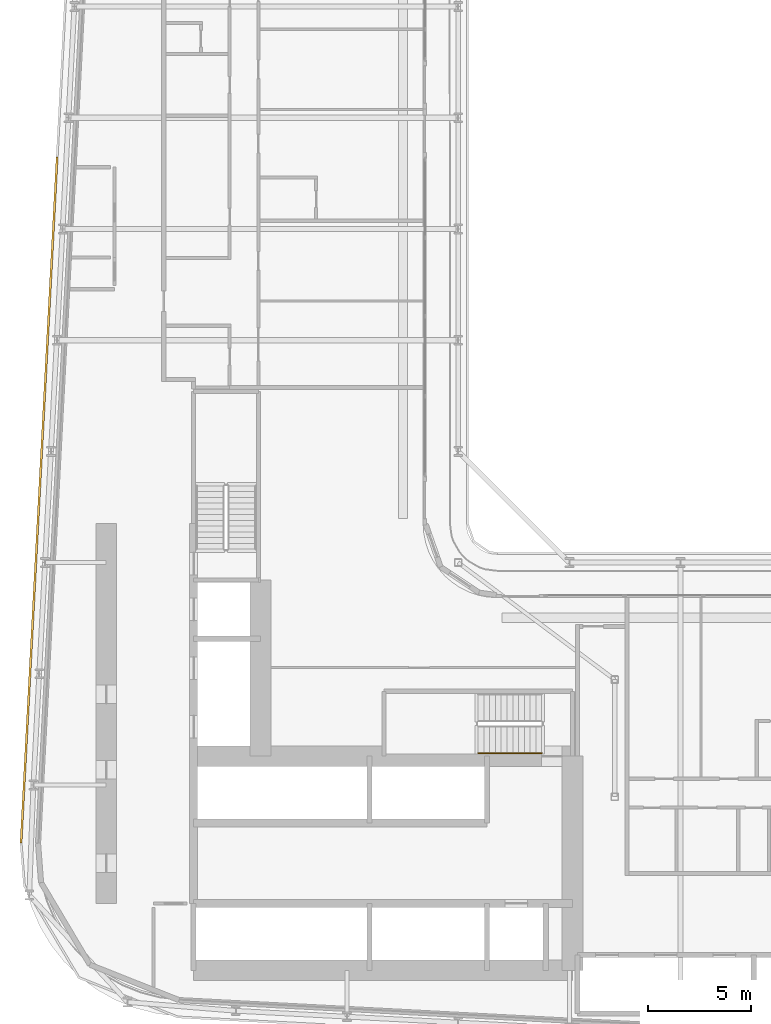
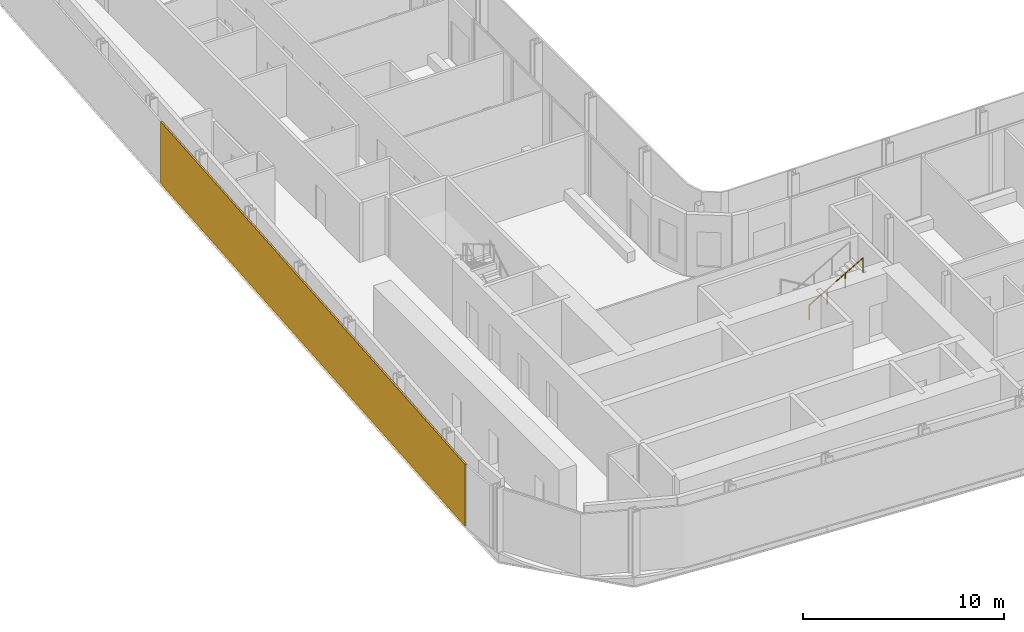
# One storey, part 23 of 29: 1 railing, 1 shading device.
"""IFC4 building model written with IfcOpenShell, lengths in metres."""

from ifc_helpers import new_model, si_unit, direction, frame, origin, origin_2d, place, context, subcontext, project, spatial, rectangle, circle, extrude, material, layer, layer_set, type_object, element, save


model = new_model("IFC4")

# Units and contexts
model_context = context("Model", 3, precision=1e-05, world=origin(), true_north=direction((0.0, 1.0)))
body_context = subcontext(model_context, "Body", "Model", "MODEL_VIEW")
ifc_project = project(units=[si_unit("LENGTHUNIT", "METRE"), si_unit("AREAUNIT", "SQUARE_METRE"), si_unit("VOLUMEUNIT", "CUBIC_METRE"), si_unit("PLANEANGLEUNIT", "RADIAN"), si_unit("MASSUNIT", "GRAM", prefix="KILO")], contexts=[model_context])

# Site, building, storey
site_placement = place(None, origin())
site = spatial("IfcSite", under=ifc_project, at=site_placement, CompositionType="ELEMENT")
building_placement = place(site_placement, origin())
building = spatial("IfcBuilding", under=site, at=building_placement, Name="Kheshtan School and Residences Tower", CompositionType="ELEMENT")
storey_placement = place(building_placement, frame((0.0, 0.0, 61.699951171875)))
storey = spatial("IfcBuildingStorey", under=building, at=storey_placement, Name="L14", CompositionType="ELEMENT", Elevation=61.699951171875)

# Shading device
ifc_material_1 = material(Name="Terracotta baguette, extruded ceramic", Category="masonry")
ifc_layer = layer(ifc_material_1, 0.10009765625)
ifc_layer_set = layer_set([ifc_layer], Name="Ledge screen, terracotta baguettes")
shading_device_type = type_object("IfcShadingDeviceType", Name="Ledge screen, terracotta baguettes", PredefinedType="USERDEFINED", material=ifc_layer_set)
shading_device_placement = place(storey_placement, frame((27.24609375, 48.638916015625, 0.0), z_axis=(0.0, 0.0, 1.0), x_axis=(0.052562536748, 0.998617634398, 0.0)))
element("IfcShadingDevice", 1, at=shading_device_placement, inside=storey, type_object=shading_device_type, Name="Screen L14 4", ObjectType="BAGUETTE", PredefinedType="USERDEFINED", context=body_context, shape_type="SweptSolid", body=[
    extrude(rectangle(XDim=33.341064453125, YDim=0.10009765625, at=origin_2d()), origin(), (0.0, 0.0, 1.0), 3.75),
])

# Railing
ifc_material_2 = material(Name="Stainless steel handrail", Category="steel")
railing_type = type_object("IfcRailingType", Name="Stair handrail 900", PredefinedType="HANDRAIL", material=ifc_material_2)
railing_placement = place(storey_placement, frame((48.570068359375, 36.35009765625, 2.112548828125)))
element("IfcRailing", 2, at=railing_placement, inside=storey, type_object=railing_type, Name="L14 ST1 stair handrail 2", PredefinedType="HANDRAIL", context=body_context, shape_type="SweptSolid", body=[
    extrude(circle(Radius=0.02392578125, at=origin_2d()), frame((0.0, 0.0, 0.8759765625), z_axis=(0.864873446163, 0.0, 0.501989962173), x_axis=(0.0, 1.0, 0.0)), (0.0, 0.0, 1.0), 3.56103515625),
    extrude(circle(Radius=0.02099609375, at=origin_2d()), origin(), (0.0, 0.0, 1.0), 0.851806640625),
    extrude(circle(Radius=0.02099609375, at=origin_2d()), frame((1.026611328125, 0.0, 0.595947265625)), (0.0, 0.0, 1.0), 0.851806640625),
    extrude(circle(Radius=0.02099609375, at=origin_2d()), frame((2.05322265625, 0.0, 1.191650390625)), (0.0, 0.0, 1.0), 0.851806640625),
    extrude(circle(Radius=0.02099609375, at=origin_2d()), frame((3.079833984375, 0.0, 1.78759765625)), (0.0, 0.0, 1.0), 0.851806640625),
])

save(model, "model.ifc")
